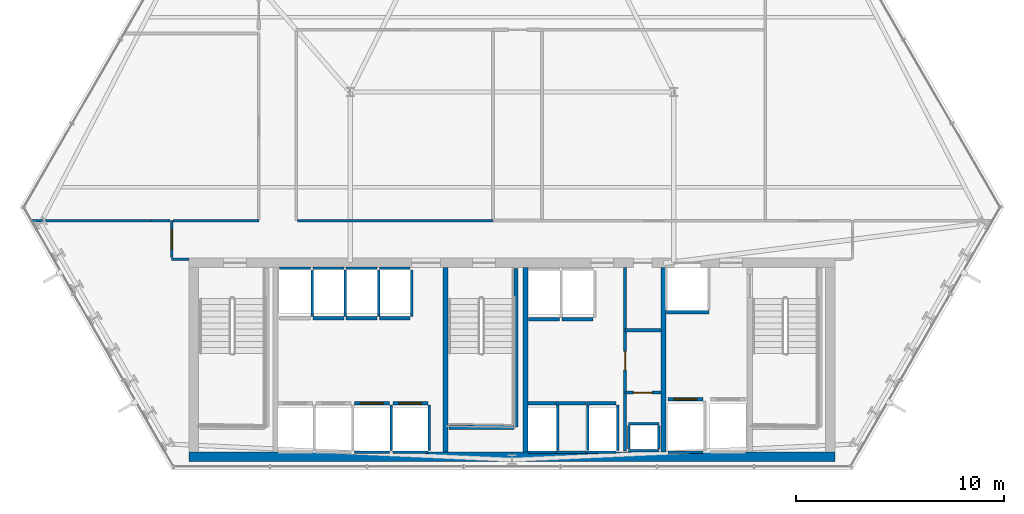
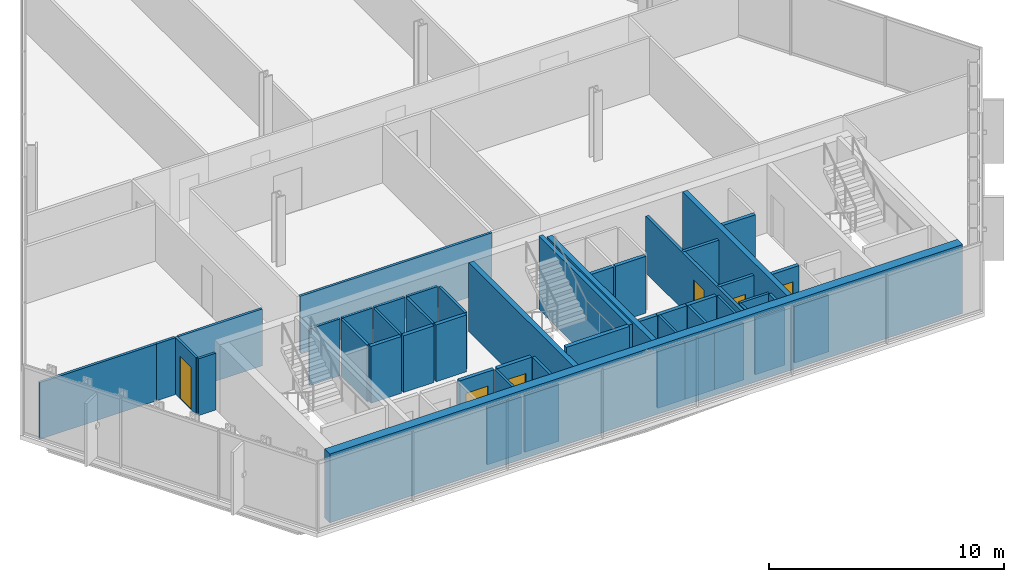
# One storey, part 27 of 33: 50 walls, 6 doors, 6 openings.
"""IFC4 building model written with IfcOpenShell, lengths in metres."""

from ifc_helpers import new_model, si_unit, direction, frame, frame_2d, origin, place, context, subcontext, project, spatial, rectangle, extrude, material, layer, layer_set, type_object, element, fill, save


model = new_model("IFC4")

# Units and contexts
model_context = context("Model", 3, precision=1e-05, world=origin(), true_north=direction((0.0, 1.0)))
body_context = subcontext(model_context, "Body", "Model", "MODEL_VIEW")
ifc_project = project(units=[si_unit("LENGTHUNIT", "METRE"), si_unit("AREAUNIT", "SQUARE_METRE"), si_unit("VOLUMEUNIT", "CUBIC_METRE"), si_unit("PLANEANGLEUNIT", "RADIAN"), si_unit("MASSUNIT", "GRAM", prefix="KILO")], contexts=[model_context])

# Site, building, storey
site_placement = place(None, origin())
site = spatial("IfcSite", under=ifc_project, at=site_placement, CompositionType="ELEMENT")
building_placement = place(site_placement, origin())
building = spatial("IfcBuilding", under=site, at=building_placement, Name="Ndaravel Arena Tower", CompositionType="ELEMENT")
storey_placement = place(building_placement, frame((0.0, 0.0, 85.39990234375)))
storey = spatial("IfcBuildingStorey", under=building, at=storey_placement, Name="L19", CompositionType="ELEMENT", Elevation=85.39990234375)

# Wall, opening, door
ifc_material_1 = material(Name="Gypsum", Category="gypsum")
ifc_layer_1 = layer(ifc_material_1, 0.14990234375)
ifc_layer_set_1 = layer_set([ifc_layer_1], Name="Gypsum")
wall_type_1 = type_object("IfcWallType", Name="WALL-COMP-150", PredefinedType="PARTITIONING", material=ifc_layer_set_1)
wall_1_placement = place(storey_placement, frame((47.449951171875, 5.89990234375, 0.0), z_axis=(0.0, 0.0, 1.0), x_axis=(0.0, 1.0, 0.0)))
wall_1 = element("IfcWall", 1, at=wall_1_placement, inside=storey, type_object=wall_type_1, Name="L19 Core Riser Bay Partition", PredefinedType="PARTITIONING", context=body_context, shape_type="SweptSolid", body=[
    extrude(rectangle(XDim=8.85009765625, YDim=0.14990234375, at=frame_2d((4.425048828125, 0.0))), origin(), (0.0, 0.0, 1.0), 2.9501953125),
])
opening_1_placement = place(wall_1_placement, frame((3.89990234375, 0.0, 0.0)))
opening_1 = element("IfcOpeningElement", 2, at=opening_1_placement, cuts=wall_1, Name="Opening RD-01", PredefinedType="OPENING", context=body_context, shape_type="SweptSolid", body=[
    extrude(rectangle(XDim=0.89990234375, YDim=2.10009765625, at=frame_2d((0.449951171875, 1.050048828125))), frame((0.0, 0.074951171875, 0.0), z_axis=(0.0, -1.0, 0.0), x_axis=(1.0, 0.0, 0.0)), (0.0, 0.0, 1.0), 0.14990234375),
])
ifc_material_2 = material(Name="Steel S355", Category="steel")
door_type_1 = type_object("IfcDoorType", Name="DT-08-RISER-900", OperationType="SINGLE_SWING_LEFT", PredefinedType="DOOR", material=ifc_material_2)
door_1_placement = place(opening_1_placement, origin())
door_1 = element("IfcDoor", 3, at=door_1_placement, inside=storey, type_object=door_type_1, Name="L19 Plumbing Riser Door", OperationType="SINGLE_SWING_LEFT", OverallHeight=2.10009765625, OverallWidth=0.89990234375, PredefinedType="DOOR", context=body_context, shape_type="SweptSolid", body=[
    extrude(rectangle(XDim=0.89990234375, YDim=2.10009765625, at=frame_2d((0.449951171875, 1.050048828125))), frame((0.0, 0.02490234375, 0.0), z_axis=(0.0, -1.0, 0.0), x_axis=(1.0, 0.0, 0.0)), (0.0, 0.0, 1.0), 0.050048828125),
])
fill(opening_1, door_1)

wall_2_placement = place(storey_placement, frame((47.449951171875, 8.719970703125, 0.0), z_axis=(0.0, 0.0, 1.0), x_axis=(1.0, 0.0, 0.0)))
wall_2 = element("IfcWall", 4, at=wall_2_placement, inside=storey, type_object=wall_type_1, Name="L19 Core Riser Divider 1", PredefinedType="PARTITIONING", context=body_context, shape_type="SweptSolid", body=[
    extrude(rectangle(XDim=1.72998046875, YDim=0.14990234375, at=frame_2d((0.864990234375, 0.0))), origin(), (0.0, 0.0, 1.0), 2.9501953125),
])
opening_2_placement = place(wall_2_placement, frame((0.39990234375, 0.0, 0.0)))
opening_2 = element("IfcOpeningElement", 5, at=opening_2_placement, cuts=wall_2, Name="Opening RD-01", PredefinedType="OPENING", context=body_context, shape_type="SweptSolid", body=[
    extrude(rectangle(XDim=0.89990234375, YDim=2.10009765625, at=frame_2d((0.449951171875, 1.050048828125))), frame((0.0, 0.074951171875, 0.0), z_axis=(0.0, -1.0, 0.0), x_axis=(1.0, 0.0, 0.0)), (0.0, 0.0, 1.0), 0.14990234375),
])
door_2_placement = place(opening_2_placement, origin())
door_2 = element("IfcDoor", 6, at=door_2_placement, inside=storey, type_object=door_type_1, Name="L19 Low-Voltage Riser Door", OperationType="SINGLE_SWING_RIGHT", OverallHeight=2.10009765625, OverallWidth=0.89990234375, PredefinedType="DOOR", context=body_context, shape_type="SweptSolid", body=[
    extrude(rectangle(XDim=0.89990234375, YDim=2.10009765625, at=frame_2d((0.449951171875, 1.050048828125))), frame((0.0, 0.02490234375, 0.0), z_axis=(0.0, -1.0, 0.0), x_axis=(1.0, 0.0, 0.0)), (0.0, 0.0, 1.0), 0.050048828125),
])
fill(opening_2, door_2)

# Walls
wall_3_placement = place(storey_placement, frame((47.449951171875, 11.719970703125, 0.0), z_axis=(0.0, 0.0, 1.0), x_axis=(1.0, 0.0, 0.0)))
element("IfcWall", 7, at=wall_3_placement, inside=storey, type_object=wall_type_1, Name="L19 Core Riser Divider 2", PredefinedType="PARTITIONING", context=body_context, shape_type="SweptSolid", body=[
    extrude(rectangle(XDim=1.72998046875, YDim=0.14990234375, at=frame_2d((0.864990234375, 0.0))), origin(), (0.0, 0.0, 1.0), 2.9501953125),
])
ifc_material_3 = material(Name="Concrete C60/75", Category="concrete")
ifc_layer_2 = layer(ifc_material_3, 0.25)
ifc_layer_set_2 = layer_set([ifc_layer_2], Name="Concrete C60/75")
wall_type_2 = type_object("IfcWallType", Name="WALL-CORE-250", PredefinedType="SOLIDWALL", material=ifc_layer_set_2)
for number, where, z_axis, x_axis, name in (
    (8, (38.800048828125, 5.85009765625, 0.0), (0.0, 0.0, 1.0), (0.0, 1.0, 0.0), "L19 Core Web Shear Wall 2"),
    (9, (42.64990234375, 5.85009765625, 0.0), (0.0, 0.0, 1.0), (0.0, 1.0, 0.0), "L19 Core Web Shear Wall 3"),
    (10, (49.300048828125, 5.85009765625, 0.0), (0.0, 0.0, 1.0), (0.0, 1.0, 0.0), "L19 Core Web Shear Wall 4"),
):
    element("IfcWall", number, at=place(storey_placement, frame(where, z_axis=z_axis, x_axis=x_axis)), inside=storey, type_object=wall_type_2, Name=name, PredefinedType="SOLIDWALL", context=body_context, shape_type="SweptSolid", body=[
        extrude(rectangle(XDim=8.89990234375, YDim=0.25, at=frame_2d((4.449951171875, 0.0))), origin(), (0.0, 0.0, 1.0), 3.580078125),
    ])
ifc_material_4 = material(Name="Concrete C60/75", Category="concrete")
ifc_layer_3 = layer(ifc_material_4, 0.449951171875)
ifc_layer_set_3 = layer_set([ifc_layer_3], Name="Concrete C60/75")
wall_type_3 = type_object("IfcWallType", Name="WALL-CORE-450", PredefinedType="SOLIDWALL", material=ifc_layer_set_3)
wall_4_placement = place(storey_placement, frame((26.449951171875, 5.625, 0.0), z_axis=(0.0, 0.0, 1.0), x_axis=(1.0, 0.0, 0.0)))
element("IfcWall", 11, at=wall_4_placement, inside=storey, type_object=wall_type_3, Name="L19 Core South Shear Wall", PredefinedType="SOLIDWALL", context=body_context, shape_type="SweptSolid", body=[
    extrude(rectangle(XDim=31.10009765625, YDim=0.449951171875, at=frame_2d((15.550048828125, 0.0))), origin(), (0.0, 0.0, 1.0), 3.580078125),
])
ifc_material_5 = material(Name="Gypsum", Category="gypsum")
ifc_layer_4 = layer(ifc_material_5, 0.125)
ifc_layer_set_4 = layer_set([ifc_layer_4], Name="Gypsum")
wall_type_4 = type_object("IfcWallType", Name="WALL-PART-125", PredefinedType="PARTITIONING", material=ifc_layer_set_4)
wall_5_placement = place(storey_placement, frame((26.449951171875, 15.14990234375, 0.0), z_axis=(0.0, 0.0, 1.0), x_axis=(-1.0, 0.0, 0.0)))
element("IfcWall", 12, at=wall_5_placement, inside=storey, type_object=wall_type_4, Name="L19 Interior Partition 003", PredefinedType="PARTITIONING", context=body_context, shape_type="SweptSolid", body=[
    extrude(rectangle(XDim=0.849853515625, YDim=0.125, at=frame_2d((0.4248046875, 0.0))), origin(), (0.0, 0.0, 1.0), 2.9501953125),
])

# Wall, opening, door
wall_6_placement = place(storey_placement, frame((25.60009765625, 15.215087890625, 0.0), z_axis=(0.0, 0.0, 1.0), x_axis=(0.0, 1.0, 0.0)))
wall_6 = element("IfcWall", 13, at=wall_6_placement, inside=storey, type_object=wall_type_4, Name="L19 Interior Partition 004", PredefinedType="PARTITIONING", context=body_context, shape_type="SweptSolid", body=[
    extrude(rectangle(XDim=1.784912109375, YDim=0.125, at=frame_2d((0.892578125, 0.0))), origin(), (0.0, 0.0, 1.0), 2.9501953125),
])
opening_3_placement = place(wall_6_placement, frame((0.41748046875, 0.0, 0.0)))
opening_3 = element("IfcOpeningElement", 14, at=opening_3_placement, cuts=wall_6, Name="Opening ID-01", PredefinedType="OPENING", context=body_context, shape_type="SweptSolid", body=[
    extrude(rectangle(XDim=0.949951171875, YDim=2.199951171875, at=frame_2d((0.47509765625, 1.10009765625))), frame((0.0, 0.0625, 0.0), z_axis=(0.0, -1.0, 0.0), x_axis=(1.0, 0.0, 0.0)), (0.0, 0.0, 1.0), 0.125),
])
ifc_material_6 = material(Name="Timber", Category="wood")
door_type_2 = type_object("IfcDoorType", Name="DT-03-OFFICE-950", OperationType="SINGLE_SWING_LEFT", PredefinedType="DOOR", material=ifc_material_6)
door_3_placement = place(opening_3_placement, origin())
door_3 = element("IfcDoor", 15, at=door_3_placement, inside=storey, type_object=door_type_2, Name="L19 Open Plan Workplace Door", OperationType="SINGLE_SWING_RIGHT", OverallHeight=2.199951171875, OverallWidth=0.949951171875, PredefinedType="DOOR", context=body_context, shape_type="SweptSolid", body=[
    extrude(rectangle(XDim=0.949951171875, YDim=2.199951171875, at=frame_2d((0.47509765625, 1.10009765625))), frame((0.0, 0.02490234375, 0.0), z_axis=(0.0, -1.0, 0.0), x_axis=(1.0, 0.0, 0.0)), (0.0, 0.0, 1.0), 0.050048828125),
])
fill(opening_3, door_3)

# Walls
wall_7_placement = place(storey_placement, frame((25.6650390625, 17.0, 0.0), z_axis=(0.0, 0.0, 1.0), x_axis=(1.0, 0.0, 0.0)))
element("IfcWall", 16, at=wall_7_placement, inside=storey, type_object=wall_type_4, Name="L19 Interior Partition 005", PredefinedType="PARTITIONING", context=body_context, shape_type="SweptSolid", body=[
    extrude(rectangle(XDim=4.135009765625, YDim=0.125, at=frame_2d((2.0673828125, 0.0))), origin(), (0.0, 0.0, 1.0), 2.9501953125),
])
wall_8_placement = place(storey_placement, frame((31.6650390625, 17.0, 0.0), z_axis=(0.0, 0.0, 1.0), x_axis=(1.0, 0.0, 0.0)))
element("IfcWall", 17, at=wall_8_placement, inside=storey, type_object=wall_type_4, Name="L19 Interior Partition 018", PredefinedType="PARTITIONING", context=body_context, shape_type="SweptSolid", body=[
    extrude(rectangle(XDim=9.427001953125, YDim=0.125, at=frame_2d((4.71337890625, 0.0))), origin(), (0.0, 0.0, 1.0), 2.9501953125),
])
wall_9_placement = place(storey_placement, frame((18.855224609375, 17.0, 0.0), z_axis=(0.0, 0.0, 1.0), x_axis=(1.0, 0.0, 0.0)))
element("IfcWall", 18, at=wall_9_placement, inside=storey, type_object=wall_type_4, Name="L19 Interior Partition 022", PredefinedType="PARTITIONING", context=body_context, shape_type="SweptSolid", body=[
    extrude(rectangle(XDim=5.744873046875, YDim=0.125, at=frame_2d((2.87255859375, 0.0))), origin(), (0.0, 0.0, 1.0), 2.9501953125),
])
wall_10_placement = place(storey_placement, frame((24.60009765625, 17.0, 0.0), z_axis=(0.0, 0.0, 1.0), x_axis=(1.0, 0.0, 0.0)))
element("IfcWall", 19, at=wall_10_placement, inside=storey, type_object=wall_type_4, Name="L19 Interior Partition 023", PredefinedType="PARTITIONING", context=body_context, shape_type="SweptSolid", body=[
    extrude(rectangle(XDim=0.934814453125, YDim=0.125, at=frame_2d((0.46728515625, 0.0))), origin(), (0.0, 0.0, 1.0), 2.9501953125),
])
ifc_material_7 = material(Name="Concrete C40/50", Category="concrete")
ifc_layer_5 = layer(ifc_material_7, 0.1201171875)
ifc_layer_set_5 = layer_set([ifc_layer_5], Name="Concrete C40/50")
wall_type_5 = type_object("IfcWallType", Name="WALL-SHAFT-120", PredefinedType="SOLIDWALL", material=ifc_layer_set_5)
for number, where, z_axis, x_axis, name in (
    (20, (47.6201171875, 5.919921875, 0.0), (0.0, 0.0, 1.0), (1.0, 0.0, 0.0), "L19 MEP Riser Shaft S Wall"),
    (21, (47.6201171875, 7.219970703125, 0.0), (0.0, 0.0, 1.0), (1.0, 0.0, 0.0), "L19 MEP Riser Shaft N Wall"),
):
    element("IfcWall", number, at=place(storey_placement, frame(where, z_axis=z_axis, x_axis=x_axis)), inside=storey, type_object=wall_type_5, Name=name, PredefinedType="SOLIDWALL", context=body_context, shape_type="SweptSolid", body=[
        extrude(rectangle(XDim=1.4599609375, YDim=0.1201171875, at=frame_2d((0.72998046875, 0.0))), origin(), (0.0, 0.0, 1.0), 2.9501953125),
    ])
for number, where, z_axis, x_axis, name in (
    (22, (47.6201171875, 6.0, 0.0), (0.0, 0.0, 1.0), (0.0, 1.0, 0.0), "L19 MEP Riser Shaft W Wall"),
    (23, (49.080078125, 6.0, 0.0), (0.0, 0.0, 1.0), (0.0, 1.0, 0.0), "L19 MEP Riser Shaft E Wall"),
):
    element("IfcWall", number, at=place(storey_placement, frame(where, z_axis=z_axis, x_axis=x_axis)), inside=storey, type_object=wall_type_5, Name=name, PredefinedType="SOLIDWALL", context=body_context, shape_type="SweptSolid", body=[
        extrude(rectangle(XDim=1.139892578125, YDim=0.1201171875, at=frame_2d((0.56982421875, 0.0))), origin(), (0.0, 0.0, 1.0), 2.9501953125),
    ])
wall_11_placement = place(storey_placement, frame((34.405029296875, 5.840087890625, 0.0), z_axis=(0.0, 0.0, 1.0), x_axis=(1.0, 0.0, 0.0)))
element("IfcWall", 24, at=wall_11_placement, inside=storey, type_object=wall_type_5, Name="L19 PL-L3 Shaft Rear Wall", PredefinedType="SOLIDWALL", context=body_context, shape_type="SweptSolid", body=[
    extrude(rectangle(XDim=1.68994140625, YDim=0.1201171875, at=frame_2d((0.844970703125, 0.0))), origin(), (0.0, 0.0, 1.0), 2.9501953125),
])
wall_12_placement = place(storey_placement, frame((36.175048828125, 5.929931640625, 0.0), z_axis=(0.0, 0.0, 1.0), x_axis=(0.0, 1.0, 0.0)))
element("IfcWall", 25, at=wall_12_placement, inside=storey, type_object=wall_type_5, Name="L19 PL-L3 Shaft Side R Wall", PredefinedType="SOLIDWALL", context=body_context, shape_type="SweptSolid", body=[
    extrude(rectangle(XDim=2.18017578125, YDim=0.1201171875, at=frame_2d((1.090087890625, 0.0))), origin(), (0.0, 0.0, 1.0), 2.9501953125),
])
wall_13_placement = place(storey_placement, frame((36.2548828125, 5.840087890625, 0.0), z_axis=(0.0, 0.0, 1.0), x_axis=(1.0, 0.0, 0.0)))
element("IfcWall", 26, at=wall_13_placement, inside=storey, type_object=wall_type_5, Name="L19 PL-L4 Shaft Rear Wall", PredefinedType="SOLIDWALL", context=body_context, shape_type="SweptSolid", body=[
    extrude(rectangle(XDim=1.690185546875, YDim=0.1201171875, at=frame_2d((0.84521484375, 0.0))), origin(), (0.0, 0.0, 1.0), 2.9501953125),
])
wall_14_placement = place(storey_placement, frame((38.02490234375, 5.929931640625, 0.0), z_axis=(0.0, 0.0, 1.0), x_axis=(0.0, 1.0, 0.0)))
element("IfcWall", 27, at=wall_14_placement, inside=storey, type_object=wall_type_5, Name="L19 PL-L4 Shaft Side R Wall", PredefinedType="SOLIDWALL", context=body_context, shape_type="SweptSolid", body=[
    extrude(rectangle(XDim=2.18017578125, YDim=0.1201171875, at=frame_2d((1.090087890625, 0.0))), origin(), (0.0, 0.0, 1.0), 2.9501953125),
])
wall_15_placement = place(storey_placement, frame((30.804931640625, 14.7099609375, 0.0), z_axis=(0.0, 0.0, 1.0), x_axis=(1.0, 0.0, 0.0)))
element("IfcWall", 28, at=wall_15_placement, inside=storey, type_object=wall_type_5, Name="L19 PL-M1 Shaft Rear Wall", PredefinedType="SOLIDWALL", context=body_context, shape_type="SweptSolid", body=[
    extrude(rectangle(XDim=1.489990234375, YDim=0.1201171875, at=frame_2d((0.7451171875, 0.0))), origin(), (0.0, 0.0, 1.0), 2.9501953125),
])
wall_16_placement = place(storey_placement, frame((32.375, 12.389892578125, 0.0), z_axis=(0.0, 0.0, 1.0), x_axis=(0.0, 1.0, 0.0)))
element("IfcWall", 29, at=wall_16_placement, inside=storey, type_object=wall_type_5, Name="L19 PL-M1 Shaft Side R Wall", PredefinedType="SOLIDWALL", context=body_context, shape_type="SweptSolid", body=[
    extrude(rectangle(XDim=2.230224609375, YDim=0.1201171875, at=frame_2d((1.115234375, 0.0))), origin(), (0.0, 0.0, 1.0), 2.9501953125),
])
wall_17_placement = place(storey_placement, frame((32.405029296875, 14.7099609375, 0.0), z_axis=(0.0, 0.0, 1.0), x_axis=(1.0, 0.0, 0.0)))
element("IfcWall", 30, at=wall_17_placement, inside=storey, type_object=wall_type_5, Name="L19 PL-M2 Shaft Rear Wall", PredefinedType="SOLIDWALL", context=body_context, shape_type="SweptSolid", body=[
    extrude(rectangle(XDim=1.489990234375, YDim=0.1201171875, at=frame_2d((0.7451171875, 0.0))), origin(), (0.0, 0.0, 1.0), 2.9501953125),
])
wall_18_placement = place(storey_placement, frame((33.97509765625, 12.389892578125, 0.0), z_axis=(0.0, 0.0, 1.0), x_axis=(0.0, 1.0, 0.0)))
element("IfcWall", 31, at=wall_18_placement, inside=storey, type_object=wall_type_5, Name="L19 PL-M2 Shaft Side R Wall", PredefinedType="SOLIDWALL", context=body_context, shape_type="SweptSolid", body=[
    extrude(rectangle(XDim=2.230224609375, YDim=0.1201171875, at=frame_2d((1.115234375, 0.0))), origin(), (0.0, 0.0, 1.0), 2.9501953125),
])
wall_19_placement = place(storey_placement, frame((34.0048828125, 14.7099609375, 0.0), z_axis=(0.0, 0.0, 1.0), x_axis=(1.0, 0.0, 0.0)))
element("IfcWall", 32, at=wall_19_placement, inside=storey, type_object=wall_type_5, Name="L19 PL-M3 Shaft Rear Wall", PredefinedType="SOLIDWALL", context=body_context, shape_type="SweptSolid", body=[
    extrude(rectangle(XDim=1.490234375, YDim=0.1201171875, at=frame_2d((0.7451171875, 0.0))), origin(), (0.0, 0.0, 1.0), 2.9501953125),
])
wall_20_placement = place(storey_placement, frame((35.574951171875, 12.389892578125, 0.0), z_axis=(0.0, 0.0, 1.0), x_axis=(0.0, 1.0, 0.0)))
element("IfcWall", 33, at=wall_20_placement, inside=storey, type_object=wall_type_5, Name="L19 PL-M3 Shaft Side R Wall", PredefinedType="SOLIDWALL", context=body_context, shape_type="SweptSolid", body=[
    extrude(rectangle(XDim=2.230224609375, YDim=0.1201171875, at=frame_2d((1.115234375, 0.0))), origin(), (0.0, 0.0, 1.0), 2.9501953125),
])
wall_21_placement = place(storey_placement, frame((35.60498046875, 14.7099609375, 0.0), z_axis=(0.0, 0.0, 1.0), x_axis=(1.0, 0.0, 0.0)))
element("IfcWall", 34, at=wall_21_placement, inside=storey, type_object=wall_type_5, Name="L19 PL-M4 Shaft Rear Wall", PredefinedType="SOLIDWALL", context=body_context, shape_type="SweptSolid", body=[
    extrude(rectangle(XDim=1.489990234375, YDim=0.1201171875, at=frame_2d((0.7451171875, 0.0))), origin(), (0.0, 0.0, 1.0), 2.9501953125),
])
wall_22_placement = place(storey_placement, frame((37.175048828125, 12.389892578125, 0.0), z_axis=(0.0, 0.0, 1.0), x_axis=(0.0, 1.0, 0.0)))
element("IfcWall", 35, at=wall_22_placement, inside=storey, type_object=wall_type_5, Name="L19 PL-M4 Shaft Side R Wall", PredefinedType="SOLIDWALL", context=body_context, shape_type="SweptSolid", body=[
    extrude(rectangle(XDim=2.230224609375, YDim=0.1201171875, at=frame_2d((1.115234375, 0.0))), origin(), (0.0, 0.0, 1.0), 2.9501953125),
])
wall_23_placement = place(storey_placement, frame((42.780029296875, 5.840087890625, 0.0), z_axis=(0.0, 0.0, 1.0), x_axis=(1.0, 0.0, 0.0)))
element("IfcWall", 36, at=wall_23_placement, inside=storey, type_object=wall_type_5, Name="L19 PL-H1 Shaft Rear Wall", PredefinedType="SOLIDWALL", context=body_context, shape_type="SweptSolid", body=[
    extrude(rectangle(XDim=1.340087890625, YDim=0.1201171875, at=frame_2d((0.669921875, 0.0))), origin(), (0.0, 0.0, 1.0), 2.9501953125),
])
wall_24_placement = place(storey_placement, frame((44.199951171875, 5.929931640625, 0.0), z_axis=(0.0, 0.0, 1.0), x_axis=(0.0, 1.0, 0.0)))
element("IfcWall", 37, at=wall_24_placement, inside=storey, type_object=wall_type_5, Name="L19 PL-H1 Shaft Side R Wall", PredefinedType="SOLIDWALL", context=body_context, shape_type="SweptSolid", body=[
    extrude(rectangle(XDim=2.18017578125, YDim=0.1201171875, at=frame_2d((1.090087890625, 0.0))), origin(), (0.0, 0.0, 1.0), 2.9501953125),
])
wall_25_placement = place(storey_placement, frame((44.1298828125, 5.840087890625, 0.0), z_axis=(0.0, 0.0, 1.0), x_axis=(1.0, 0.0, 0.0)))
element("IfcWall", 38, at=wall_25_placement, inside=storey, type_object=wall_type_5, Name="L19 PL-H2 Shaft Rear Wall", PredefinedType="SOLIDWALL", context=body_context, shape_type="SweptSolid", body=[
    extrude(rectangle(XDim=1.440185546875, YDim=0.1201171875, at=frame_2d((0.72021484375, 0.0))), origin(), (0.0, 0.0, 1.0), 2.9501953125),
])
wall_26_placement = place(storey_placement, frame((45.64990234375, 5.929931640625, 0.0), z_axis=(0.0, 0.0, 1.0), x_axis=(0.0, 1.0, 0.0)))
element("IfcWall", 39, at=wall_26_placement, inside=storey, type_object=wall_type_5, Name="L19 PL-H2 Shaft Side R Wall", PredefinedType="SOLIDWALL", context=body_context, shape_type="SweptSolid", body=[
    extrude(rectangle(XDim=2.18017578125, YDim=0.1201171875, at=frame_2d((1.090087890625, 0.0))), origin(), (0.0, 0.0, 1.0), 2.9501953125),
])
wall_27_placement = place(storey_placement, frame((45.580078125, 5.840087890625, 0.0), z_axis=(0.0, 0.0, 1.0), x_axis=(1.0, 0.0, 0.0)))
element("IfcWall", 40, at=wall_27_placement, inside=storey, type_object=wall_type_5, Name="L19 PL-H3 Shaft Rear Wall", PredefinedType="SOLIDWALL", context=body_context, shape_type="SweptSolid", body=[
    extrude(rectangle(XDim=1.43994140625, YDim=0.1201171875, at=frame_2d((0.719970703125, 0.0))), origin(), (0.0, 0.0, 1.0), 2.9501953125),
])
wall_28_placement = place(storey_placement, frame((47.10009765625, 5.929931640625, 0.0), z_axis=(0.0, 0.0, 1.0), x_axis=(0.0, 1.0, 0.0)))
element("IfcWall", 41, at=wall_28_placement, inside=storey, type_object=wall_type_5, Name="L19 PL-H3 Shaft Side R Wall", PredefinedType="SOLIDWALL", context=body_context, shape_type="SweptSolid", body=[
    extrude(rectangle(XDim=2.18017578125, YDim=0.1201171875, at=frame_2d((1.090087890625, 0.0))), origin(), (0.0, 0.0, 1.0), 2.9501953125),
])
wall_29_placement = place(storey_placement, frame((49.5048828125, 5.840087890625, 0.0), z_axis=(0.0, 0.0, 1.0), x_axis=(1.0, 0.0, 0.0)))
element("IfcWall", 42, at=wall_29_placement, inside=storey, type_object=wall_type_5, Name="L19 FFL-1 Shaft Rear Wall", PredefinedType="SOLIDWALL", context=body_context, shape_type="SweptSolid", body=[
    extrude(rectangle(XDim=1.690185546875, YDim=0.1201171875, at=frame_2d((0.84521484375, 0.0))), origin(), (0.0, 0.0, 1.0), 2.9501953125),
])
ifc_material_8 = material(Name="Concrete C40/50", Category="concrete")
ifc_layer_6 = layer(ifc_material_8, 0.199951171875)
ifc_layer_set_6 = layer_set([ifc_layer_6], Name="Concrete C40/50")
wall_type_6 = type_object("IfcWallType", Name="WALL-SHAFT-200", PredefinedType="SOLIDWALL", material=ifc_layer_set_6)
wall_30_placement = place(storey_placement, frame((42.18994140625, 14.699951171875, 0.0), z_axis=(0.0, 0.0, 1.0), x_axis=(0.0, -1.0, 0.0)))
element("IfcWall", 43, at=wall_30_placement, inside=storey, type_object=wall_type_6, Name="L19 ST-2 Structural Shaft Wall Right", PredefinedType="SOLIDWALL", context=body_context, shape_type="SweptSolid", body=[
    extrude(rectangle(XDim=7.64990234375, YDim=0.199951171875, at=frame_2d((3.824951171875, 0.0))), origin(), (0.0, 0.0, 1.0), 3.800048828125),
])
wall_31_placement = place(storey_placement, frame((38.969970703125, 7.050048828125, 0.0), z_axis=(0.0, 0.0, 1.0), x_axis=(1.0, 0.0, 0.0)))
element("IfcWall", 44, at=wall_31_placement, inside=storey, type_object=wall_type_6, Name="L19 ST-2 Structural Shaft Wall Far", PredefinedType="SOLIDWALL", context=body_context, shape_type="SweptSolid", body=[
    extrude(rectangle(XDim=3.114990234375, YDim=0.199951171875, at=frame_2d((1.5576171875, 0.0))), origin(), (0.0, 0.0, 1.0), 3.800048828125),
])

# Wall, opening, door
wall_32_placement = place(storey_placement, frame((34.405029296875, 8.199951171875, 0.0), z_axis=(0.0, 0.0, 1.0), x_axis=(1.0, 0.0, 0.0)))
wall_32 = element("IfcWall", 45, at=wall_32_placement, inside=storey, type_object=wall_type_6, Name="L19 PL-L3 Shaft Landing Wall", PredefinedType="SOLIDWALL", context=body_context, shape_type="SweptSolid", body=[
    extrude(rectangle(XDim=1.68994140625, YDim=0.179931640625, at=frame_2d((0.844970703125, 0.0))), origin(), (0.0, 0.0, 1.0), 2.9501953125),
])
opening_4_placement = place(wall_32_placement, frame((0.294921875, 0.0, 0.0)))
opening_4 = element("IfcOpeningElement", 46, at=opening_4_placement, cuts=wall_32, Name="Opening LD-01", PredefinedType="OPENING", context=body_context, shape_type="SweptSolid", body=[
    extrude(rectangle(XDim=1.10009765625, YDim=2.199951171875, at=frame_2d((0.550048828125, 1.10009765625))), frame((0.0, 0.08984375, 0.0), z_axis=(0.0, -1.0, 0.0), x_axis=(1.0, 0.0, 0.0)), (0.0, 0.0, 1.0), 0.179931640625),
])
ifc_material_9 = material(Name="Steel S355", Category="steel")
door_type_3 = type_object("IfcDoorType", Name="DT-06-LIFT-1100", OperationType="SLIDING_TO_LEFT", PredefinedType="DOOR", material=ifc_material_9)
door_4_placement = place(opening_4_placement, origin())
door_4 = element("IfcDoor", 47, at=door_4_placement, inside=storey, type_object=door_type_3, Name="L19 Lift PL-L3 Sliding Landing Door", OperationType="SLIDING_TO_LEFT", OverallHeight=2.199951171875, OverallWidth=1.10009765625, PredefinedType="DOOR", context=body_context, shape_type="SweptSolid", body=[
    extrude(rectangle(XDim=1.10009765625, YDim=2.199951171875, at=frame_2d((0.550048828125, 1.10009765625))), frame((0.0, 0.02490234375, 0.0), z_axis=(0.0, -1.0, 0.0), x_axis=(1.0, 0.0, 0.0)), (0.0, 0.0, 1.0), 0.050048828125),
])
fill(opening_4, door_4)

wall_33_placement = place(storey_placement, frame((36.2548828125, 8.199951171875, 0.0), z_axis=(0.0, 0.0, 1.0), x_axis=(1.0, 0.0, 0.0)))
wall_33 = element("IfcWall", 48, at=wall_33_placement, inside=storey, type_object=wall_type_6, Name="L19 PL-L4 Shaft Landing Wall", PredefinedType="SOLIDWALL", context=body_context, shape_type="SweptSolid", body=[
    extrude(rectangle(XDim=1.690185546875, YDim=0.179931640625, at=frame_2d((0.84521484375, 0.0))), origin(), (0.0, 0.0, 1.0), 2.9501953125),
])
opening_5_placement = place(wall_33_placement, frame((0.294921875, 0.0, 0.0)))
opening_5 = element("IfcOpeningElement", 49, at=opening_5_placement, cuts=wall_33, Name="Opening LD-01", PredefinedType="OPENING", context=body_context, shape_type="SweptSolid", body=[
    extrude(rectangle(XDim=1.10009765625, YDim=2.199951171875, at=frame_2d((0.550048828125, 1.10009765625))), frame((0.0, 0.08984375, 0.0), z_axis=(0.0, -1.0, 0.0), x_axis=(1.0, 0.0, 0.0)), (0.0, 0.0, 1.0), 0.179931640625),
])
door_5_placement = place(opening_5_placement, origin())
door_5 = element("IfcDoor", 50, at=door_5_placement, inside=storey, type_object=door_type_3, Name="L19 Lift PL-L4 Sliding Landing Door", OperationType="SLIDING_TO_LEFT", OverallHeight=2.199951171875, OverallWidth=1.10009765625, PredefinedType="DOOR", context=body_context, shape_type="SweptSolid", body=[
    extrude(rectangle(XDim=1.10009765625, YDim=2.199951171875, at=frame_2d((0.550048828125, 1.10009765625))), frame((0.0, 0.02490234375, 0.0), z_axis=(0.0, -1.0, 0.0), x_axis=(1.0, 0.0, 0.0)), (0.0, 0.0, 1.0), 0.050048828125),
])
fill(opening_5, door_5)

# Walls
wall_34_placement = place(storey_placement, frame((32.405029296875, 12.300048828125, 0.0), z_axis=(0.0, 0.0, 1.0), x_axis=(1.0, 0.0, 0.0)))
element("IfcWall", 51, at=wall_34_placement, inside=storey, type_object=wall_type_6, Name="L19 PL-M2 Shaft Landing Wall", PredefinedType="SOLIDWALL", context=body_context, shape_type="SweptSolid", body=[
    extrude(rectangle(XDim=1.489990234375, YDim=0.179931640625, at=frame_2d((0.7451171875, 0.0))), origin(), (0.0, 0.0, 1.0), 2.9501953125),
])
wall_35_placement = place(storey_placement, frame((34.0048828125, 12.300048828125, 0.0), z_axis=(0.0, 0.0, 1.0), x_axis=(1.0, 0.0, 0.0)))
element("IfcWall", 52, at=wall_35_placement, inside=storey, type_object=wall_type_6, Name="L19 PL-M3 Shaft Landing Wall", PredefinedType="SOLIDWALL", context=body_context, shape_type="SweptSolid", body=[
    extrude(rectangle(XDim=1.490234375, YDim=0.179931640625, at=frame_2d((0.7451171875, 0.0))), origin(), (0.0, 0.0, 1.0), 2.9501953125),
])
wall_36_placement = place(storey_placement, frame((35.60498046875, 12.300048828125, 0.0), z_axis=(0.0, 0.0, 1.0), x_axis=(1.0, 0.0, 0.0)))
element("IfcWall", 53, at=wall_36_placement, inside=storey, type_object=wall_type_6, Name="L19 PL-M4 Shaft Landing Wall", PredefinedType="SOLIDWALL", context=body_context, shape_type="SweptSolid", body=[
    extrude(rectangle(XDim=1.489990234375, YDim=0.179931640625, at=frame_2d((0.7451171875, 0.0))), origin(), (0.0, 0.0, 1.0), 2.9501953125),
])
wall_37_placement = place(storey_placement, frame((42.780029296875, 8.199951171875, 0.0), z_axis=(0.0, 0.0, 1.0), x_axis=(1.0, 0.0, 0.0)))
element("IfcWall", 54, at=wall_37_placement, inside=storey, type_object=wall_type_6, Name="L19 PL-H1 Shaft Landing Wall", PredefinedType="SOLIDWALL", context=body_context, shape_type="SweptSolid", body=[
    extrude(rectangle(XDim=1.340087890625, YDim=0.179931640625, at=frame_2d((0.669921875, 0.0))), origin(), (0.0, 0.0, 1.0), 2.9501953125),
])
wall_38_placement = place(storey_placement, frame((44.1298828125, 8.199951171875, 0.0), z_axis=(0.0, 0.0, 1.0), x_axis=(1.0, 0.0, 0.0)))
element("IfcWall", 55, at=wall_38_placement, inside=storey, type_object=wall_type_6, Name="L19 PL-H2 Shaft Landing Wall", PredefinedType="SOLIDWALL", context=body_context, shape_type="SweptSolid", body=[
    extrude(rectangle(XDim=1.440185546875, YDim=0.179931640625, at=frame_2d((0.72021484375, 0.0))), origin(), (0.0, 0.0, 1.0), 2.9501953125),
])
wall_39_placement = place(storey_placement, frame((45.580078125, 8.199951171875, 0.0), z_axis=(0.0, 0.0, 1.0), x_axis=(1.0, 0.0, 0.0)))
element("IfcWall", 56, at=wall_39_placement, inside=storey, type_object=wall_type_6, Name="L19 PL-H3 Shaft Landing Wall", PredefinedType="SOLIDWALL", context=body_context, shape_type="SweptSolid", body=[
    extrude(rectangle(XDim=1.43994140625, YDim=0.179931640625, at=frame_2d((0.719970703125, 0.0))), origin(), (0.0, 0.0, 1.0), 2.9501953125),
])
for number, where, z_axis, x_axis, name in (
    (57, (42.804931640625, 12.25, 0.0), (0.0, 0.0, 1.0), (1.0, 0.0, 0.0), "L19 PL-OBS1 Shaft Landing Wall"),
    (58, (44.405029296875, 12.25, 0.0), (0.0, 0.0, 1.0), (1.0, 0.0, 0.0), "L19 PL-OBS2 Shaft Landing Wall"),
):
    element("IfcWall", number, at=place(storey_placement, frame(where, z_axis=z_axis, x_axis=x_axis)), inside=storey, type_object=wall_type_6, Name=name, PredefinedType="SOLIDWALL", context=body_context, shape_type="SweptSolid", body=[
        extrude(rectangle(XDim=1.489990234375, YDim=0.179931640625, at=frame_2d((0.7451171875, 0.0))), origin(), (0.0, 0.0, 1.0), 2.9501953125),
    ])

# Wall, opening, door
wall_40_placement = place(storey_placement, frame((49.5048828125, 8.39990234375, 0.0), z_axis=(0.0, 0.0, 1.0), x_axis=(1.0, 0.0, 0.0)))
wall_40 = element("IfcWall", 59, at=wall_40_placement, inside=storey, type_object=wall_type_6, Name="L19 FFL-1 Shaft Landing Wall", PredefinedType="SOLIDWALL", context=body_context, shape_type="SweptSolid", body=[
    extrude(rectangle(XDim=1.690185546875, YDim=0.179931640625, at=frame_2d((0.84521484375, 0.0))), origin(), (0.0, 0.0, 1.0), 2.9501953125),
])
opening_6_placement = place(wall_40_placement, frame((0.294921875, 0.0, 0.0)))
opening_6 = element("IfcOpeningElement", 60, at=opening_6_placement, cuts=wall_40, Name="Opening LD-01", PredefinedType="OPENING", context=body_context, shape_type="SweptSolid", body=[
    extrude(rectangle(XDim=1.10009765625, YDim=2.199951171875, at=frame_2d((0.550048828125, 1.10009765625))), frame((0.0, 0.08984375, 0.0), z_axis=(0.0, -1.0, 0.0), x_axis=(1.0, 0.0, 0.0)), (0.0, 0.0, 1.0), 0.179931640625),
])
door_6_placement = place(opening_6_placement, origin())
door_6 = element("IfcDoor", 61, at=door_6_placement, inside=storey, type_object=door_type_3, Name="L19 Lift FFL-1 Sliding Landing Door", OperationType="SLIDING_TO_LEFT", OverallHeight=2.199951171875, OverallWidth=1.10009765625, PredefinedType="DOOR", context=body_context, shape_type="SweptSolid", body=[
    extrude(rectangle(XDim=1.10009765625, YDim=2.199951171875, at=frame_2d((0.550048828125, 1.10009765625))), frame((0.0, 0.02490234375, 0.0), z_axis=(0.0, -1.0, 0.0), x_axis=(1.0, 0.0, 0.0)), (0.0, 0.0, 1.0), 0.050048828125),
])
fill(opening_6, door_6)

# Wall
wall_41_placement = place(storey_placement, frame((49.43994140625, 12.594970703125, 0.0), z_axis=(0.0, 0.0, 1.0), x_axis=(1.0, 0.0, 0.0)))
element("IfcWall", 62, at=wall_41_placement, inside=storey, type_object=wall_type_6, Name="L19 SVL-1 Shaft South Wall", PredefinedType="SOLIDWALL", context=body_context, shape_type="SweptSolid", body=[
    extrude(rectangle(XDim=2.0400390625, YDim=0.179931640625, at=frame_2d((1.02001953125, 0.0))), origin(), (0.0, 0.0, 1.0), 2.9501953125),
])

save(model, "model.ifc")
